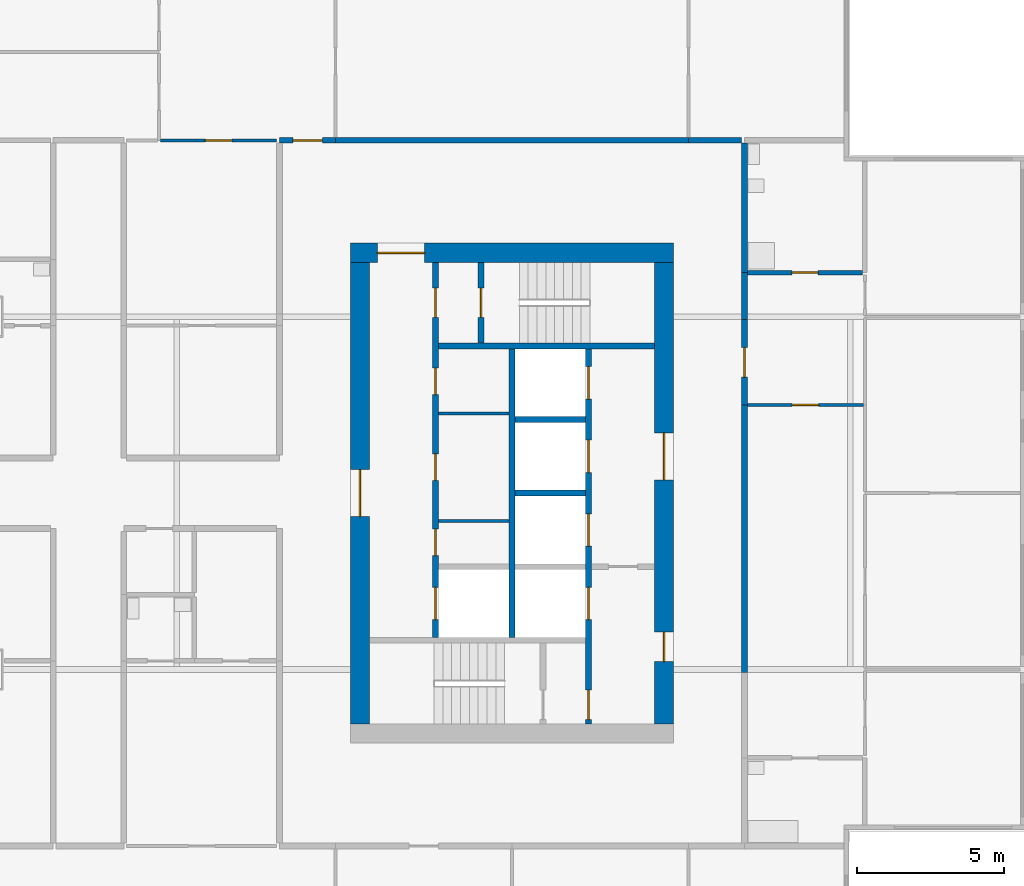
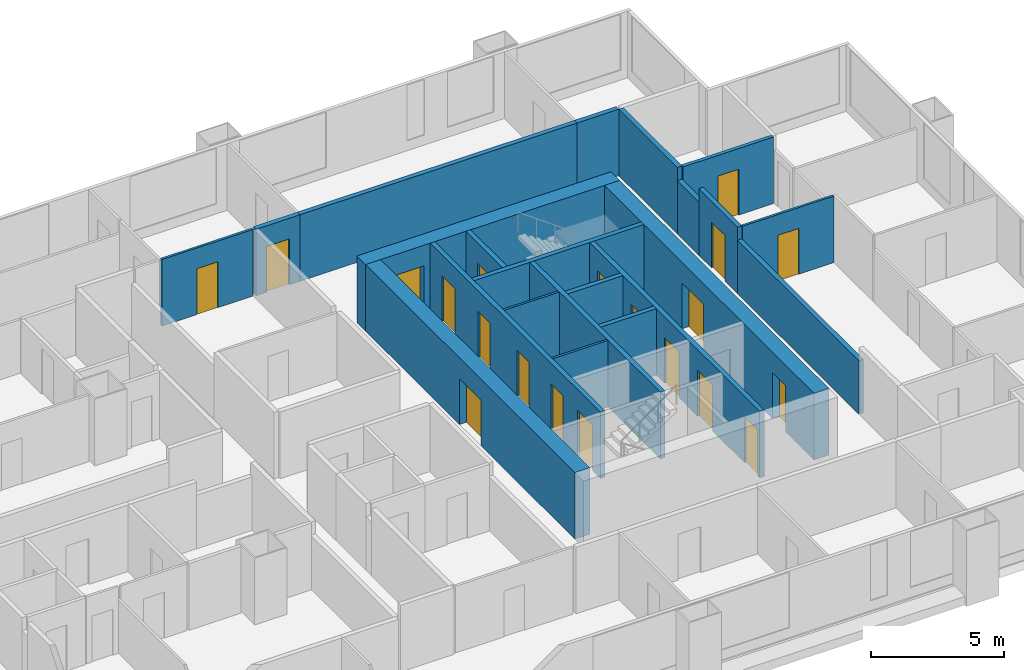
# One storey, part 7 of 11: 22 walls, 20 doors, 20 openings.
"""IFC4 building model written with IfcOpenShell, lengths in metres."""

from ifc_helpers import new_model, si_unit, direction, frame, frame_2d, origin, place, context, subcontext, project, spatial, rectangle, extrude, material, layer, layer_set, type_object, element, fill, save


model = new_model("IFC4")

# Units and contexts
model_context = context("Model", 3, precision=1e-05, world=origin(), true_north=direction((0.0, 1.0)))
body_context = subcontext(model_context, "Body", "Model", "MODEL_VIEW")
ifc_project = project(units=[si_unit("LENGTHUNIT", "METRE"), si_unit("AREAUNIT", "SQUARE_METRE"), si_unit("VOLUMEUNIT", "CUBIC_METRE"), si_unit("PLANEANGLEUNIT", "RADIAN"), si_unit("MASSUNIT", "GRAM", prefix="KILO")], contexts=[model_context])

# Site, building, storey
site_placement = place(None, origin())
site = spatial("IfcSite", under=ifc_project, at=site_placement, CompositionType="ELEMENT")
building_placement = place(site_placement, origin())
building = spatial("IfcBuilding", under=site, at=building_placement, Name="Kitamizu Gate Tower and Museum", CompositionType="ELEMENT")
storey_placement = place(building_placement, frame((0.0, 0.0, 141.449951171875)))
storey = spatial("IfcBuildingStorey", under=building, at=storey_placement, Name="L37", CompositionType="ELEMENT", Elevation=141.449951171875)

# Wall, opening, door
ifc_material_1 = material(Name="Concrete Fc60", Category="concrete")
ifc_layer_1 = layer(ifc_material_1, 0.64990234375)
ifc_layer_set_1 = layer_set([ifc_layer_1], Name="Concrete Fc60")
wall_type_1 = type_object("IfcWallType", Name="Core wall 650", PredefinedType="SHEAR", material=ifc_layer_set_1)
wall_1_placement = place(storey_placement, frame((59.5, 38.175048828125, 0.0), z_axis=(0.0, 0.0, 1.0), x_axis=(-1.0, 0.0, 0.0)))
wall_1 = element("IfcWall", 1, at=wall_1_placement, inside=storey, type_object=wall_type_1, Name="Core wall EN", PredefinedType="SHEAR", context=body_context, shape_type="SweptSolid", body=[
    extrude(rectangle(XDim=11.0, YDim=0.64990234375, at=frame_2d((5.5, 0.0))), origin(), (0.0, 0.0, 1.0), 3.050048828125),
])
opening_1_placement = place(wall_1_placement, frame((8.47509765625, 0.0, 0.0)))
opening_1 = element("IfcOpeningElement", 2, at=opening_1_placement, cuts=wall_1, Name="Opening L37-074", PredefinedType="OPENING", context=body_context, shape_type="SweptSolid", body=[
    extrude(rectangle(XDim=1.60009765625, YDim=2.10009765625, at=frame_2d((0.800048828125, 1.050048828125))), frame((0.0, 0.3349609375, 0.0), z_axis=(0.0, -1.0, 0.0), x_axis=(1.0, 0.0, 0.0)), (0.0, 0.0, 1.0), 0.669921875),
])
ifc_material_2 = material(Name="Timber door set", Category="wood")
door_type_1 = type_object("IfcDoorType", Name="Entrance door 1600", OperationType="DOUBLE_DOOR_SINGLE_SWING", PredefinedType="DOOR", material=ifc_material_2)
door_1_placement = place(opening_1_placement, origin())
door_1 = element("IfcDoor", 3, at=door_1_placement, inside=storey, type_object=door_type_1, Name="Lobby door L37-074", OperationType="DOUBLE_DOOR_SINGLE_SWING", OverallHeight=2.10009765625, OverallWidth=1.60009765625, PredefinedType="DOOR", context=body_context, shape_type="SweptSolid", body=[
    extrude(rectangle(XDim=1.60009765625, YDim=2.10009765625, at=frame_2d((0.800048828125, 1.050048828125))), frame((0.0, 0.02490234375, 0.0), z_axis=(0.0, -1.0, 0.0), x_axis=(1.0, 0.0, 0.0)), (0.0, 0.0, 1.0), 0.050048828125),
])
fill(opening_1, door_1)

# Wall, openings, doors
wall_2_placement = place(storey_placement, frame((59.175048828125, 22.14990234375, 0.0), z_axis=(0.0, 0.0, 1.0), x_axis=(0.0, 1.0, 0.0)))
wall_2 = element("IfcWall", 4, at=wall_2_placement, inside=storey, type_object=wall_type_1, Name="Core wall EOUT", PredefinedType="SHEAR", context=body_context, shape_type="SweptSolid", body=[
    extrude(rectangle(XDim=15.7001953125, YDim=0.64990234375, at=frame_2d((7.85009765625, 0.0))), origin(), (0.0, 0.0, 1.0), 3.050048828125),
])
opening_2_placement = place(wall_2_placement, frame((8.300048828125, 0.0, 0.0)))
opening_2 = element("IfcOpeningElement", 5, at=opening_2_placement, cuts=wall_2, Name="Opening L37-072", PredefinedType="OPENING", context=body_context, shape_type="SweptSolid", body=[
    extrude(rectangle(XDim=1.60009765625, YDim=2.10009765625, at=frame_2d((0.800048828125, 1.050048828125))), frame((0.0, 0.3349609375, 0.0), z_axis=(0.0, -1.0, 0.0), x_axis=(1.0, 0.0, 0.0)), (0.0, 0.0, 1.0), 0.669921875),
])
opening_3_placement = place(wall_2_placement, frame((2.125, 0.0, 0.0)))
opening_3 = element("IfcOpeningElement", 6, at=opening_3_placement, cuts=wall_2, Name="Opening L37-073", PredefinedType="OPENING", context=body_context, shape_type="SweptSolid", body=[
    extrude(rectangle(XDim=1.0, YDim=2.10009765625, at=frame_2d((0.5, 1.050048828125))), frame((0.0, 0.3349609375, 0.0), z_axis=(0.0, -1.0, 0.0), x_axis=(1.0, 0.0, 0.0)), (0.0, 0.0, 1.0), 0.669921875),
])
door_2_placement = place(opening_2_placement, origin())
door_2 = element("IfcDoor", 7, at=door_2_placement, inside=storey, type_object=door_type_1, Name="Lobby door L37-072", OperationType="DOUBLE_DOOR_SINGLE_SWING", OverallHeight=2.10009765625, OverallWidth=1.60009765625, PredefinedType="DOOR", context=body_context, shape_type="SweptSolid", body=[
    extrude(rectangle(XDim=1.60009765625, YDim=2.10009765625, at=frame_2d((0.800048828125, 1.050048828125))), frame((0.0, 0.02490234375, 0.0), z_axis=(0.0, -1.0, 0.0), x_axis=(1.0, 0.0, 0.0)), (0.0, 0.0, 1.0), 0.050048828125),
])
fill(opening_2, door_2)
ifc_material_3 = material(Name="Hollow metal door set")
door_type_2 = type_object("IfcDoorType", Name="Fire door 1000", OperationType="NOTDEFINED", PredefinedType="DOOR", material=ifc_material_3)
door_3_placement = place(opening_3_placement, origin())
door_3 = element("IfcDoor", 8, at=door_3_placement, inside=storey, type_object=door_type_2, Name="Fire-fighting lobby door L37-073", OperationType="SINGLE_SWING_RIGHT", OverallHeight=2.10009765625, OverallWidth=1.0, PredefinedType="DOOR", context=body_context, shape_type="SweptSolid", body=[
    extrude(rectangle(XDim=1.0, YDim=2.10009765625, at=frame_2d((0.5, 1.050048828125))), frame((0.0, 0.02490234375, 0.0), z_axis=(0.0, -1.0, 0.0), x_axis=(1.0, 0.0, 0.0)), (0.0, 0.0, 1.0), 0.050048828125),
])
fill(opening_3, door_3)

# Wall, opening, door
wall_3_placement = place(storey_placement, frame((48.824951171875, 22.14990234375, 0.0), z_axis=(0.0, 0.0, 1.0), x_axis=(0.0, 1.0, 0.0)))
wall_3 = element("IfcWall", 9, at=wall_3_placement, inside=storey, type_object=wall_type_1, Name="Core wall EARC", PredefinedType="SHEAR", context=body_context, shape_type="SweptSolid", body=[
    extrude(rectangle(XDim=15.7001953125, YDim=0.64990234375, at=frame_2d((7.85009765625, 0.0))), origin(), (0.0, 0.0, 1.0), 3.050048828125),
])
opening_4_placement = place(wall_3_placement, frame((7.050048828125, 0.0, 0.0)))
opening_4 = element("IfcOpeningElement", 10, at=opening_4_placement, cuts=wall_3, Name="Opening L37-075", PredefinedType="OPENING", context=body_context, shape_type="SweptSolid", body=[
    extrude(rectangle(XDim=1.60009765625, YDim=2.10009765625, at=frame_2d((0.800048828125, 1.050048828125))), frame((0.0, 0.3349609375, 0.0), z_axis=(0.0, -1.0, 0.0), x_axis=(1.0, 0.0, 0.0)), (0.0, 0.0, 1.0), 0.669921875),
])
door_4_placement = place(opening_4_placement, origin())
door_4 = element("IfcDoor", 11, at=door_4_placement, inside=storey, type_object=door_type_1, Name="Lobby door L37-075", OperationType="DOUBLE_DOOR_SINGLE_SWING", OverallHeight=2.10009765625, OverallWidth=1.60009765625, PredefinedType="DOOR", context=body_context, shape_type="SweptSolid", body=[
    extrude(rectangle(XDim=1.60009765625, YDim=2.10009765625, at=frame_2d((0.800048828125, 1.050048828125))), frame((0.0, 0.02490234375, 0.0), z_axis=(0.0, -1.0, 0.0), x_axis=(1.0, 0.0, 0.0)), (0.0, 0.0, 1.0), 0.050048828125),
])
fill(opening_4, door_4)

# Walls
ifc_material_4 = material(Name="Gypsum board on galvanised stud")
ifc_layer_2 = layer(ifc_material_4, 0.10009765625)
ifc_layer_set_2 = layer_set([ifc_layer_2], Name="Gypsum board on galvanised stud")
wall_type_2 = type_object("IfcWallType", Name="Partition 100", PredefinedType="PARTITIONING", material=ifc_layer_set_2)
for number, where, z_axis, x_axis, name in (
    (12, (53.89990234375, 29.06005859375, 0.0), (0.0, 0.0, 1.0), (-1.0, 0.0, 0.0), "Partition EPF1"),
    (13, (53.89990234375, 32.7099609375, 0.0), (0.0, 0.0, 1.0), (-1.0, 0.0, 0.0), "Partition EPF2"),
):
    element("IfcWall", number, at=place(storey_placement, frame(where, z_axis=z_axis, x_axis=x_axis)), inside=storey, type_object=wall_type_2, Name=name, PredefinedType="PARTITIONING", context=body_context, shape_type="SweptSolid", body=[
        extrude(rectangle(XDim=2.39990234375, YDim=0.10009765625, at=frame_2d((1.199951171875, 0.0))), origin(), (0.0, 0.0, 1.0), 3.050048828125),
    ])

# Wall, opening, door
ifc_material_5 = material(Name="Gypsum board on galvanised stud")
ifc_layer_3 = layer(ifc_material_5, 0.10009765625)
ifc_layer_set_3 = layer_set([ifc_layer_3], Name="Gypsum board on galvanised stud")
wall_type_3 = type_object("IfcWallType", Name="Partition 100 NOT RATED", PredefinedType="PARTITIONING", material=ifc_layer_set_3)
wall_4_placement = place(storey_placement, frame((65.949951171875, 33.0, 0.0), z_axis=(0.0, 0.0, 1.0), x_axis=(-1.0, 0.0, 0.0)))
wall_4 = element("IfcWall", 14, at=wall_4_placement, inside=storey, type_object=wall_type_3, Name="Partition L37-096", PredefinedType="PARTITIONING", context=body_context, shape_type="SweptSolid", body=[
    extrude(rectangle(XDim=3.949951171875, YDim=0.10009765625, at=frame_2d((1.97509765625, 0.0))), origin(), (0.0, 0.0, 1.0), 3.050048828125),
])
opening_5_placement = place(wall_4_placement, frame((1.52490234375, 0.0, 0.0)))
opening_5 = element("IfcOpeningElement", 15, at=opening_5_placement, cuts=wall_4, Name="Opening L37-031", PredefinedType="OPENING", context=body_context, shape_type="SweptSolid", body=[
    extrude(rectangle(XDim=0.89990234375, YDim=2.10009765625, at=frame_2d((0.449951171875, 1.050048828125))), frame((0.0, 0.06005859375, 0.0), z_axis=(0.0, -1.0, 0.0), x_axis=(1.0, 0.0, 0.0)), (0.0, 0.0, 1.0), 0.1201171875),
])
ifc_material_6 = material(Name="Timber door set", Category="wood")
door_type_3 = type_object("IfcDoorType", Name="Room door 900", OperationType="NOTDEFINED", PredefinedType="DOOR", material=ifc_material_6)
door_5_placement = place(opening_5_placement, frame((0.89990234375, 0.0, 0.0), x_axis=(-1.0, 0.0, 0.0)))
door_5 = element("IfcDoor", 16, at=door_5_placement, inside=storey, type_object=door_type_3, Name="Door L37-031", OperationType="SINGLE_SWING_LEFT", OverallHeight=2.10009765625, OverallWidth=0.89990234375, PredefinedType="DOOR", context=body_context, shape_type="SweptSolid", body=[
    extrude(rectangle(XDim=0.89990234375, YDim=2.10009765625, at=frame_2d((0.449951171875, 1.050048828125))), frame((0.0, 0.02490234375, 0.0), z_axis=(0.0, -1.0, 0.0), x_axis=(1.0, 0.0, 0.0)), (0.0, 0.0, 1.0), 0.050048828125),
])
fill(opening_5, door_5)

wall_5_placement = place(storey_placement, frame((42.050048828125, 42.0, 0.0), z_axis=(0.0, 0.0, 1.0), x_axis=(1.0, 0.0, 0.0)))
wall_5 = element("IfcWall", 17, at=wall_5_placement, inside=storey, type_object=wall_type_3, Name="Partition L37-126", PredefinedType="PARTITIONING", context=body_context, shape_type="SweptSolid", body=[
    extrude(rectangle(XDim=3.949951171875, YDim=0.10009765625, at=frame_2d((1.97509765625, 0.0))), origin(), (0.0, 0.0, 1.0), 3.050048828125),
])
opening_6_placement = place(wall_5_placement, frame((1.52490234375, 0.0, 0.0)))
opening_6 = element("IfcOpeningElement", 18, at=opening_6_placement, cuts=wall_5, Name="Opening L37-047", PredefinedType="OPENING", context=body_context, shape_type="SweptSolid", body=[
    extrude(rectangle(XDim=0.89990234375, YDim=2.10009765625, at=frame_2d((0.449951171875, 1.050048828125))), frame((0.0, 0.06005859375, 0.0), z_axis=(0.0, -1.0, 0.0), x_axis=(1.0, 0.0, 0.0)), (0.0, 0.0, 1.0), 0.1201171875),
])
door_6_placement = place(opening_6_placement, frame((0.89990234375, 0.0, 0.0), x_axis=(-1.0, 0.0, 0.0)))
door_6 = element("IfcDoor", 19, at=door_6_placement, inside=storey, type_object=door_type_3, Name="Door L37-047", OperationType="SINGLE_SWING_RIGHT", OverallHeight=2.10009765625, OverallWidth=0.89990234375, PredefinedType="DOOR", context=body_context, shape_type="SweptSolid", body=[
    extrude(rectangle(XDim=0.89990234375, YDim=2.10009765625, at=frame_2d((0.449951171875, 1.050048828125))), frame((0.0, 0.02490234375, 0.0), z_axis=(0.0, -1.0, 0.0), x_axis=(1.0, 0.0, 0.0)), (0.0, 0.0, 1.0), 0.050048828125),
])
fill(opening_6, door_6)

ifc_material_7 = material(Name="Gypsum board on galvanised stud")
ifc_layer_4 = layer(ifc_material_7, 0.14990234375)
ifc_layer_set_4 = layer_set([ifc_layer_4], Name="Gypsum board on galvanised stud")
wall_type_4 = type_object("IfcWallType", Name="Partition 150", PredefinedType="PARTITIONING", material=ifc_layer_set_4)
wall_6_placement = place(storey_placement, frame((65.925048828125, 37.5, 0.0), z_axis=(0.0, 0.0, 1.0), x_axis=(-1.0, 0.0, 0.0)))
wall_6 = element("IfcWall", 20, at=wall_6_placement, inside=storey, type_object=wall_type_4, Name="Partition L37-099", PredefinedType="PARTITIONING", context=body_context, shape_type="SweptSolid", body=[
    extrude(rectangle(XDim=3.925048828125, YDim=0.14990234375, at=frame_2d((1.96240234375, 0.0))), origin(), (0.0, 0.0, 1.0), 3.050048828125),
])
opening_7_placement = place(wall_6_placement, frame((1.512451171875, 0.0, 0.0)))
opening_7 = element("IfcOpeningElement", 21, at=opening_7_placement, cuts=wall_6, Name="Opening L37-034", PredefinedType="OPENING", context=body_context, shape_type="SweptSolid", body=[
    extrude(rectangle(XDim=0.89990234375, YDim=2.10009765625, at=frame_2d((0.449951171875, 1.050048828125))), frame((0.0, 0.0849609375, 0.0), z_axis=(0.0, -1.0, 0.0), x_axis=(1.0, 0.0, 0.0)), (0.0, 0.0, 1.0), 0.169921875),
])
ifc_material_8 = material(Name="Timber door set", Category="wood")
door_type_4 = type_object("IfcDoorType", Name="Bathroom door 900", OperationType="NOTDEFINED", PredefinedType="DOOR", material=ifc_material_8)
door_7_placement = place(opening_7_placement, frame((0.89990234375, 0.0, 0.0), x_axis=(-1.0, 0.0, 0.0)))
door_7 = element("IfcDoor", 22, at=door_7_placement, inside=storey, type_object=door_type_4, Name="Bathroom door L37-034", OperationType="SINGLE_SWING_LEFT", OverallHeight=2.10009765625, OverallWidth=0.89990234375, PredefinedType="DOOR", context=body_context, shape_type="SweptSolid", body=[
    extrude(rectangle(XDim=0.89990234375, YDim=2.10009765625, at=frame_2d((0.449951171875, 1.050048828125))), frame((0.0, 0.02490234375, 0.0), z_axis=(0.0, -1.0, 0.0), x_axis=(1.0, 0.0, 0.0)), (0.0, 0.0, 1.0), 0.050048828125),
])
fill(opening_7, door_7)

# Walls
ifc_material_9 = material(Name="Gypsum board on galvanised stud")
ifc_layer_5 = layer(ifc_material_9, 0.199951171875)
ifc_layer_set_5 = layer_set([ifc_layer_5], Name="Gypsum board on galvanised stud")
wall_type_5 = type_object("IfcWallType", Name="Partition 200", PredefinedType="PARTITIONING", material=ifc_layer_set_5)
wall_7_placement = place(storey_placement, frame((61.89990234375, 33.0, 0.0), z_axis=(0.0, 0.0, 1.0), x_axis=(0.0, -1.0, 0.0)))
element("IfcWall", 23, at=wall_7_placement, inside=storey, type_object=wall_type_5, Name="Partition L37-097", PredefinedType="PARTITIONING", context=body_context, shape_type="SweptSolid", body=[
    extrude(rectangle(XDim=9.10009765625, YDim=0.199951171875, at=frame_2d((4.550048828125, 0.0))), origin(), (0.0, 0.0, 1.0), 2.449951171875),
])
wall_8_placement = place(storey_placement, frame((61.89990234375, 37.5, 0.0), z_axis=(0.0, 0.0, 1.0), x_axis=(0.0, -1.0, 0.0)))
element("IfcWall", 24, at=wall_8_placement, inside=storey, type_object=wall_type_5, Name="Partition L37-100", PredefinedType="PARTITIONING", context=body_context, shape_type="SweptSolid", body=[
    extrude(rectangle(XDim=1.60009765625, YDim=0.199951171875, at=frame_2d((0.800048828125, 0.0))), origin(), (0.0, 0.0, 1.0), 2.449951171875),
])

# Wall, opening, door
wall_9_placement = place(storey_placement, frame((61.89990234375, 35.89990234375, 0.0), z_axis=(0.0, 0.0, 1.0), x_axis=(0.0, -1.0, 0.0)))
wall_9 = element("IfcWall", 25, at=wall_9_placement, inside=storey, type_object=wall_type_5, Name="Partition L37-101", PredefinedType="PARTITIONING", context=body_context, shape_type="SweptSolid", body=[
    extrude(rectangle(XDim=2.89990234375, YDim=0.199951171875, at=frame_2d((1.449951171875, 0.0))), origin(), (0.0, 0.0, 1.0), 3.050048828125),
])
opening_8_placement = place(wall_9_placement, frame((0.949951171875, 0.0, 0.0)))
opening_8 = element("IfcOpeningElement", 26, at=opening_8_placement, cuts=wall_9, Name="Opening L37-030", PredefinedType="OPENING", context=body_context, shape_type="SweptSolid", body=[
    extrude(rectangle(XDim=1.0, YDim=2.10009765625, at=frame_2d((0.5, 1.050048828125))), frame((0.0, 0.10986328125, 0.0), z_axis=(0.0, -1.0, 0.0), x_axis=(1.0, 0.0, 0.0)), (0.0, 0.0, 1.0), 0.219970703125),
])
ifc_material_10 = material(Name="Timber door set", Category="wood")
door_type_5 = type_object("IfcDoorType", Name="Flat entrance door 1000", OperationType="NOTDEFINED", PredefinedType="DOOR", material=ifc_material_10)
door_8_placement = place(opening_8_placement, origin())
door_8 = element("IfcDoor", 27, at=door_8_placement, inside=storey, type_object=door_type_5, Name="Flat entrance door L37-030", OperationType="SINGLE_SWING_LEFT", OverallHeight=2.10009765625, OverallWidth=1.0, PredefinedType="DOOR", context=body_context, shape_type="SweptSolid", body=[
    extrude(rectangle(XDim=1.0, YDim=2.10009765625, at=frame_2d((0.5, 1.050048828125))), frame((0.0, 0.02490234375, 0.0), z_axis=(0.0, -1.0, 0.0), x_axis=(1.0, 0.0, 0.0)), (0.0, 0.0, 1.0), 0.050048828125),
])
fill(opening_8, door_8)

# Wall
wall_10_placement = place(storey_placement, frame((61.89990234375, 41.89990234375, 0.0), z_axis=(0.0, 0.0, 1.0), x_axis=(0.0, -1.0, 0.0)))
element("IfcWall", 28, at=wall_10_placement, inside=storey, type_object=wall_type_5, Name="Partition L37-103", PredefinedType="PARTITIONING", context=body_context, shape_type="SweptSolid", body=[
    extrude(rectangle(XDim=4.39990234375, YDim=0.199951171875, at=frame_2d((2.199951171875, 0.0))), origin(), (0.0, 0.0, 1.0), 3.050048828125),
])

# Wall, opening, door
wall_11_placement = place(storey_placement, frame((46.10009765625, 42.0, 0.0), z_axis=(0.0, 0.0, 1.0), x_axis=(1.0, 0.0, 0.0)))
wall_11 = element("IfcWall", 29, at=wall_11_placement, inside=storey, type_object=wall_type_5, Name="Partition L37-127", PredefinedType="PARTITIONING", context=body_context, shape_type="SweptSolid", body=[
    extrude(rectangle(XDim=1.89990234375, YDim=0.199951171875, at=frame_2d((0.949951171875, 0.0))), origin(), (0.0, 0.0, 1.0), 3.050048828125),
])
opening_9_placement = place(wall_11_placement, frame((0.449951171875, 0.0, 0.0)))
opening_9 = element("IfcOpeningElement", 30, at=opening_9_placement, cuts=wall_11, Name="Opening L37-042", PredefinedType="OPENING", context=body_context, shape_type="SweptSolid", body=[
    extrude(rectangle(XDim=1.0, YDim=2.10009765625, at=frame_2d((0.5, 1.050048828125))), frame((0.0, 0.10986328125, 0.0), z_axis=(0.0, -1.0, 0.0), x_axis=(1.0, 0.0, 0.0)), (0.0, 0.0, 1.0), 0.219970703125),
])
door_9_placement = place(opening_9_placement, origin())
door_9 = element("IfcDoor", 31, at=door_9_placement, inside=storey, type_object=door_type_5, Name="Flat entrance door L37-042", OperationType="SINGLE_SWING_LEFT", OverallHeight=2.10009765625, OverallWidth=1.0, PredefinedType="DOOR", context=body_context, shape_type="SweptSolid", body=[
    extrude(rectangle(XDim=1.0, YDim=2.10009765625, at=frame_2d((0.5, 1.050048828125))), frame((0.0, 0.02490234375, 0.0), z_axis=(0.0, -1.0, 0.0), x_axis=(1.0, 0.0, 0.0)), (0.0, 0.0, 1.0), 0.050048828125),
])
fill(opening_9, door_9)

# Walls
wall_12_placement = place(storey_placement, frame((48.0, 42.0, 0.0), z_axis=(0.0, 0.0, 1.0), x_axis=(1.0, 0.0, 0.0)))
element("IfcWall", 32, at=wall_12_placement, inside=storey, type_object=wall_type_5, Name="Partition L37-129", PredefinedType="PARTITIONING", context=body_context, shape_type="SweptSolid", body=[
    extrude(rectangle(XDim=12.0, YDim=0.199951171875, at=frame_2d((6.0, 0.0))), origin(), (0.0, 0.0, 1.0), 3.050048828125),
])
wall_13_placement = place(storey_placement, frame((60.0, 42.0, 0.0), z_axis=(0.0, 0.0, 1.0), x_axis=(1.0, 0.0, 0.0)))
element("IfcWall", 33, at=wall_13_placement, inside=storey, type_object=wall_type_5, Name="Partition L37-130", PredefinedType="PARTITIONING", context=body_context, shape_type="SweptSolid", body=[
    extrude(rectangle(XDim=1.800048828125, YDim=0.199951171875, at=frame_2d((0.89990234375, 0.0))), origin(), (0.0, 0.0, 1.0), 3.050048828125),
])

# Wall, openings, doors
ifc_material_11 = material(Name="Concrete Fc42", Category="concrete")
ifc_layer_6 = layer(ifc_material_11, 0.199951171875)
ifc_layer_set_6 = layer_set([ifc_layer_6], Name="Concrete Fc42")
wall_type_6 = type_object("IfcWallType", Name="Shaft wall 200", PredefinedType="SOLIDWALL", material=ifc_layer_set_6)
wall_14_placement = place(storey_placement, frame((56.60009765625, 22.14990234375, 0.0), z_axis=(0.0, 0.0, 1.0), x_axis=(0.0, 1.0, 0.0)))
wall_14 = element("IfcWall", 34, at=wall_14_placement, inside=storey, type_object=wall_type_6, Name="Shaft wall EWEST", PredefinedType="SOLIDWALL", context=body_context, shape_type="SweptSolid", body=[
    extrude(rectangle(XDim=12.75, YDim=0.199951171875, at=frame_2d((6.375, 0.0))), origin(), (0.0, 0.0, 1.0), 3.050048828125),
])
opening_10_placement = place(wall_14_placement, frame((3.550048828125, 0.0, 0.0)))
opening_10 = element("IfcOpeningElement", 35, at=opening_10_placement, cuts=wall_14, Name="Opening LD", PredefinedType="OPENING", context=body_context, shape_type="SweptSolid", body=[
    extrude(rectangle(XDim=1.10009765625, YDim=2.10009765625, at=frame_2d((0.550048828125, 1.050048828125))), frame((0.0, 0.10986328125, 0.0), z_axis=(0.0, -1.0, 0.0), x_axis=(1.0, 0.0, 0.0)), (0.0, 0.0, 1.0), 0.219970703125),
])
opening_11_placement = place(wall_14_placement, frame((6.050048828125, 0.0, 0.0)))
opening_11 = element("IfcOpeningElement", 36, at=opening_11_placement, cuts=wall_14, Name="Opening LD", PredefinedType="OPENING", context=body_context, shape_type="SweptSolid", body=[
    extrude(rectangle(XDim=1.10009765625, YDim=2.10009765625, at=frame_2d((0.550048828125, 1.050048828125))), frame((0.0, 0.10986328125, 0.0), z_axis=(0.0, -1.0, 0.0), x_axis=(1.0, 0.0, 0.0)), (0.0, 0.0, 1.0), 0.219970703125),
])
opening_12_placement = place(wall_14_placement, frame((8.550048828125, 0.0, 0.0)))
opening_12 = element("IfcOpeningElement", 37, at=opening_12_placement, cuts=wall_14, Name="Opening LD", PredefinedType="OPENING", context=body_context, shape_type="SweptSolid", body=[
    extrude(rectangle(XDim=1.10009765625, YDim=2.10009765625, at=frame_2d((0.550048828125, 1.050048828125))), frame((0.0, 0.10986328125, 0.0), z_axis=(0.0, -1.0, 0.0), x_axis=(1.0, 0.0, 0.0)), (0.0, 0.0, 1.0), 0.219970703125),
])
opening_13_placement = place(wall_14_placement, frame((11.050048828125, 0.0, 0.0)))
opening_13 = element("IfcOpeningElement", 38, at=opening_13_placement, cuts=wall_14, Name="Opening LD", PredefinedType="OPENING", context=body_context, shape_type="SweptSolid", body=[
    extrude(rectangle(XDim=1.10009765625, YDim=2.10009765625, at=frame_2d((0.550048828125, 1.050048828125))), frame((0.0, 0.10986328125, 0.0), z_axis=(0.0, -1.0, 0.0), x_axis=(1.0, 0.0, 0.0)), (0.0, 0.0, 1.0), 0.219970703125),
])
opening_14_placement = place(wall_14_placement, frame((0.14990234375, 0.0, 0.0)))
opening_14 = element("IfcOpeningElement", 39, at=opening_14_placement, cuts=wall_14, Name="Opening L37-068", PredefinedType="OPENING", context=body_context, shape_type="SweptSolid", body=[
    extrude(rectangle(XDim=1.0, YDim=2.10009765625, at=frame_2d((0.5, 1.050048828125))), frame((0.0, 0.10986328125, 0.0), z_axis=(0.0, -1.0, 0.0), x_axis=(1.0, 0.0, 0.0)), (0.0, 0.0, 1.0), 0.219970703125),
])
door_10_placement = place(opening_14_placement, origin())
door_10 = element("IfcDoor", 40, at=door_10_placement, inside=storey, type_object=door_type_2, Name="Stair lobby door L37-068", OperationType="SINGLE_SWING_RIGHT", OverallHeight=2.10009765625, OverallWidth=1.0, PredefinedType="DOOR", context=body_context, shape_type="SweptSolid", body=[
    extrude(rectangle(XDim=1.0, YDim=2.10009765625, at=frame_2d((0.5, 1.050048828125))), frame((0.0, 0.02490234375, 0.0), z_axis=(0.0, -1.0, 0.0), x_axis=(1.0, 0.0, 0.0)), (0.0, 0.0, 1.0), 0.050048828125),
])
fill(opening_14, door_10)
ifc_material_12 = material(Name="Hollow metal door set")
door_type_6 = type_object("IfcDoorType", Name="Landing door 1100", OperationType="SLIDING_TO_LEFT", PredefinedType="DOOR", material=ifc_material_12)
door_11_placement = place(opening_10_placement, origin())
door_11 = element("IfcDoor", 41, at=door_11_placement, inside=storey, type_object=door_type_6, Name="Landing door EFF1", OperationType="SLIDING_TO_LEFT", OverallHeight=2.10009765625, OverallWidth=1.10009765625, PredefinedType="DOOR", context=body_context, shape_type="SweptSolid", body=[
    extrude(rectangle(XDim=1.10009765625, YDim=2.10009765625, at=frame_2d((0.550048828125, 1.050048828125))), frame((0.0, 0.02490234375, 0.0), z_axis=(0.0, -1.0, 0.0), x_axis=(1.0, 0.0, 0.0)), (0.0, 0.0, 1.0), 0.050048828125),
])
fill(opening_10, door_11)
door_12_placement = place(opening_11_placement, origin())
door_12 = element("IfcDoor", 42, at=door_12_placement, inside=storey, type_object=door_type_6, Name="Landing door EL1", OperationType="SLIDING_TO_LEFT", OverallHeight=2.10009765625, OverallWidth=1.10009765625, PredefinedType="DOOR", context=body_context, shape_type="SweptSolid", body=[
    extrude(rectangle(XDim=1.10009765625, YDim=2.10009765625, at=frame_2d((0.550048828125, 1.050048828125))), frame((0.0, 0.02490234375, 0.0), z_axis=(0.0, -1.0, 0.0), x_axis=(1.0, 0.0, 0.0)), (0.0, 0.0, 1.0), 0.050048828125),
])
fill(opening_11, door_12)
door_13_placement = place(opening_12_placement, origin())
door_13 = element("IfcDoor", 43, at=door_13_placement, inside=storey, type_object=door_type_6, Name="Landing door EL2", OperationType="SLIDING_TO_LEFT", OverallHeight=2.10009765625, OverallWidth=1.10009765625, PredefinedType="DOOR", context=body_context, shape_type="SweptSolid", body=[
    extrude(rectangle(XDim=1.10009765625, YDim=2.10009765625, at=frame_2d((0.550048828125, 1.050048828125))), frame((0.0, 0.02490234375, 0.0), z_axis=(0.0, -1.0, 0.0), x_axis=(1.0, 0.0, 0.0)), (0.0, 0.0, 1.0), 0.050048828125),
])
fill(opening_12, door_13)
door_14_placement = place(opening_13_placement, origin())
door_14 = element("IfcDoor", 44, at=door_14_placement, inside=storey, type_object=door_type_6, Name="Landing door EL3", OperationType="SLIDING_TO_LEFT", OverallHeight=2.10009765625, OverallWidth=1.10009765625, PredefinedType="DOOR", context=body_context, shape_type="SweptSolid", body=[
    extrude(rectangle(XDim=1.10009765625, YDim=2.10009765625, at=frame_2d((0.550048828125, 1.050048828125))), frame((0.0, 0.02490234375, 0.0), z_axis=(0.0, -1.0, 0.0), x_axis=(1.0, 0.0, 0.0)), (0.0, 0.0, 1.0), 0.050048828125),
])
fill(opening_13, door_14)

wall_15_placement = place(storey_placement, frame((51.39990234375, 25.10009765625, 0.0), z_axis=(0.0, 0.0, 1.0), x_axis=(0.0, 1.0, 0.0)))
wall_15 = element("IfcWall", 45, at=wall_15_placement, inside=storey, type_object=wall_type_6, Name="Shaft wall EEAST", PredefinedType="SOLIDWALL", context=body_context, shape_type="SweptSolid", body=[
    extrude(rectangle(XDim=12.75, YDim=0.199951171875, at=frame_2d((6.375, 0.0))), origin(), (0.0, 0.0, 1.0), 3.050048828125),
])
opening_15_placement = place(wall_15_placement, frame((0.60009765625, 0.0, 0.0)))
opening_15 = element("IfcOpeningElement", 46, at=opening_15_placement, cuts=wall_15, Name="Opening LD", PredefinedType="OPENING", context=body_context, shape_type="SweptSolid", body=[
    extrude(rectangle(XDim=1.10009765625, YDim=2.10009765625, at=frame_2d((0.550048828125, 1.050048828125))), frame((0.0, 0.10986328125, 0.0), z_axis=(0.0, -1.0, 0.0), x_axis=(1.0, 0.0, 0.0)), (0.0, 0.0, 1.0), 0.219970703125),
])
opening_16_placement = place(wall_15_placement, frame((10.875, 0.0, 0.0)))
opening_16 = element("IfcOpeningElement", 47, at=opening_16_placement, cuts=wall_15, Name="Opening L37-069", PredefinedType="OPENING", context=body_context, shape_type="SweptSolid", body=[
    extrude(rectangle(XDim=1.0, YDim=2.10009765625, at=frame_2d((0.5, 1.050048828125))), frame((0.0, 0.10986328125, 0.0), z_axis=(0.0, -1.0, 0.0), x_axis=(1.0, 0.0, 0.0)), (0.0, 0.0, 1.0), 0.219970703125),
])
opening_17_placement = place(wall_15_placement, frame((2.780029296875, 0.0, 0.0)))
opening_17 = element("IfcOpeningElement", 48, at=opening_17_placement, cuts=wall_15, Name="Opening L37-076", PredefinedType="OPENING", context=body_context, shape_type="SweptSolid", body=[
    extrude(rectangle(XDim=0.89990234375, YDim=2.10009765625, at=frame_2d((0.449951171875, 1.050048828125))), frame((0.0, 0.10986328125, 0.0), z_axis=(0.0, -1.0, 0.0), x_axis=(1.0, 0.0, 0.0)), (0.0, 0.0, 1.0), 0.219970703125),
])
opening_18_placement = place(wall_15_placement, frame((5.3349609375, 0.0, 0.0)))
opening_18 = element("IfcOpeningElement", 49, at=opening_18_placement, cuts=wall_15, Name="Opening L37-077", PredefinedType="OPENING", context=body_context, shape_type="SweptSolid", body=[
    extrude(rectangle(XDim=0.89990234375, YDim=2.10009765625, at=frame_2d((0.449951171875, 1.050048828125))), frame((0.0, 0.10986328125, 0.0), z_axis=(0.0, -1.0, 0.0), x_axis=(1.0, 0.0, 0.0)), (0.0, 0.0, 1.0), 0.219970703125),
])
opening_19_placement = place(wall_15_placement, frame((8.2548828125, 0.0, 0.0)))
opening_19 = element("IfcOpeningElement", 50, at=opening_19_placement, cuts=wall_15, Name="Opening L37-078", PredefinedType="OPENING", context=body_context, shape_type="SweptSolid", body=[
    extrude(rectangle(XDim=0.89990234375, YDim=2.10009765625, at=frame_2d((0.449951171875, 1.050048828125))), frame((0.0, 0.10986328125, 0.0), z_axis=(0.0, -1.0, 0.0), x_axis=(1.0, 0.0, 0.0)), (0.0, 0.0, 1.0), 0.219970703125),
])
door_15_placement = place(opening_16_placement, frame((1.0, 0.0, 0.0), x_axis=(-1.0, 0.0, 0.0)))
door_15 = element("IfcDoor", 51, at=door_15_placement, inside=storey, type_object=door_type_2, Name="Stair lobby door L37-069", OperationType="SINGLE_SWING_RIGHT", OverallHeight=2.10009765625, OverallWidth=1.0, PredefinedType="DOOR", context=body_context, shape_type="SweptSolid", body=[
    extrude(rectangle(XDim=1.0, YDim=2.10009765625, at=frame_2d((0.5, 1.050048828125))), frame((0.0, 0.02490234375, 0.0), z_axis=(0.0, -1.0, 0.0), x_axis=(1.0, 0.0, 0.0)), (0.0, 0.0, 1.0), 0.050048828125),
])
fill(opening_16, door_15)
door_16_placement = place(opening_15_placement, origin())
door_16 = element("IfcDoor", 52, at=door_16_placement, inside=storey, type_object=door_type_6, Name="Landing door ESV1", OperationType="SLIDING_TO_LEFT", OverallHeight=2.10009765625, OverallWidth=1.10009765625, PredefinedType="DOOR", context=body_context, shape_type="SweptSolid", body=[
    extrude(rectangle(XDim=1.10009765625, YDim=2.10009765625, at=frame_2d((0.550048828125, 1.050048828125))), frame((0.0, 0.02490234375, 0.0), z_axis=(0.0, -1.0, 0.0), x_axis=(1.0, 0.0, 0.0)), (0.0, 0.0, 1.0), 0.050048828125),
])
fill(opening_15, door_16)
ifc_material_13 = material(Name="Timber door set", Category="wood")
door_type_7 = type_object("IfcDoorType", Name="Service door 900", OperationType="NOTDEFINED", PredefinedType="DOOR", material=ifc_material_13)
door_17_placement = place(opening_17_placement, frame((0.89990234375, 0.0, 0.0), x_axis=(-1.0, 0.0, 0.0)))
door_17 = element("IfcDoor", 53, at=door_17_placement, inside=storey, type_object=door_type_7, Name="Service door L37-076", OperationType="SINGLE_SWING_RIGHT", OverallHeight=2.10009765625, OverallWidth=0.89990234375, PredefinedType="DOOR", context=body_context, shape_type="SweptSolid", body=[
    extrude(rectangle(XDim=0.89990234375, YDim=2.10009765625, at=frame_2d((0.449951171875, 1.050048828125))), frame((0.0, 0.02490234375, 0.0), z_axis=(0.0, -1.0, 0.0), x_axis=(1.0, 0.0, 0.0)), (0.0, 0.0, 1.0), 0.050048828125),
])
fill(opening_17, door_17)
door_18_placement = place(opening_18_placement, frame((0.89990234375, 0.0, 0.0), x_axis=(-1.0, 0.0, 0.0)))
door_18 = element("IfcDoor", 54, at=door_18_placement, inside=storey, type_object=door_type_7, Name="Service door L37-077", OperationType="SINGLE_SWING_LEFT", OverallHeight=2.10009765625, OverallWidth=0.89990234375, PredefinedType="DOOR", context=body_context, shape_type="SweptSolid", body=[
    extrude(rectangle(XDim=0.89990234375, YDim=2.10009765625, at=frame_2d((0.449951171875, 1.050048828125))), frame((0.0, 0.02490234375, 0.0), z_axis=(0.0, -1.0, 0.0), x_axis=(1.0, 0.0, 0.0)), (0.0, 0.0, 1.0), 0.050048828125),
])
fill(opening_18, door_18)
door_19_placement = place(opening_19_placement, frame((0.89990234375, 0.0, 0.0), x_axis=(-1.0, 0.0, 0.0)))
door_19 = element("IfcDoor", 55, at=door_19_placement, inside=storey, type_object=door_type_7, Name="Service door L37-078", OperationType="SINGLE_SWING_RIGHT", OverallHeight=2.10009765625, OverallWidth=0.89990234375, PredefinedType="DOOR", context=body_context, shape_type="SweptSolid", body=[
    extrude(rectangle(XDim=0.89990234375, YDim=2.10009765625, at=frame_2d((0.449951171875, 1.050048828125))), frame((0.0, 0.02490234375, 0.0), z_axis=(0.0, -1.0, 0.0), x_axis=(1.0, 0.0, 0.0)), (0.0, 0.0, 1.0), 0.050048828125),
])
fill(opening_19, door_19)

# Walls
wall_16_placement = place(storey_placement, frame((54.0, 25.10009765625, 0.0), z_axis=(0.0, 0.0, 1.0), x_axis=(0.0, 1.0, 0.0)))
element("IfcWall", 56, at=wall_16_placement, inside=storey, type_object=wall_type_6, Name="Shaft wall EMID", PredefinedType="SOLIDWALL", context=body_context, shape_type="SweptSolid", body=[
    extrude(rectangle(XDim=9.7998046875, YDim=0.199951171875, at=frame_2d((4.89990234375, 0.0))), origin(), (0.0, 0.0, 1.0), 3.050048828125),
])
wall_17_placement = place(storey_placement, frame((58.85009765625, 35.0, 0.0), z_axis=(0.0, 0.0, 1.0), x_axis=(-1.0, 0.0, 0.0)))
element("IfcWall", 57, at=wall_17_placement, inside=storey, type_object=wall_type_6, Name="Shaft wall ENB", PredefinedType="SOLIDWALL", context=body_context, shape_type="SweptSolid", body=[
    extrude(rectangle(XDim=7.35009765625, YDim=0.199951171875, at=frame_2d((3.675048828125, 0.0))), origin(), (0.0, 0.0, 1.0), 3.050048828125),
])

# Wall, opening, door
wall_18_placement = place(storey_placement, frame((52.949951171875, 35.10009765625, 0.0), z_axis=(0.0, 0.0, 1.0), x_axis=(0.0, 1.0, 0.0)))
wall_18 = element("IfcWall", 58, at=wall_18_placement, inside=storey, type_object=wall_type_6, Name="Shaft wall ENZ", PredefinedType="SOLIDWALL", context=body_context, shape_type="SweptSolid", body=[
    extrude(rectangle(XDim=2.75, YDim=0.199951171875, at=frame_2d((1.375, 0.0))), origin(), (0.0, 0.0, 1.0), 3.050048828125),
])
opening_20_placement = place(wall_18_placement, frame((0.875, 0.0, 0.0)))
opening_20 = element("IfcOpeningElement", 59, at=opening_20_placement, cuts=wall_18, Name="Opening L37-070", PredefinedType="OPENING", context=body_context, shape_type="SweptSolid", body=[
    extrude(rectangle(XDim=1.0, YDim=2.10009765625, at=frame_2d((0.5, 1.050048828125))), frame((0.0, 0.10986328125, 0.0), z_axis=(0.0, -1.0, 0.0), x_axis=(1.0, 0.0, 0.0)), (0.0, 0.0, 1.0), 0.219970703125),
])
door_20_placement = place(opening_20_placement, frame((1.0, 0.0, 0.0), x_axis=(-1.0, 0.0, 0.0)))
door_20 = element("IfcDoor", 60, at=door_20_placement, inside=storey, type_object=door_type_2, Name="Stair door L37-070", OperationType="SINGLE_SWING_LEFT", OverallHeight=2.10009765625, OverallWidth=1.0, PredefinedType="DOOR", context=body_context, shape_type="SweptSolid", body=[
    extrude(rectangle(XDim=1.0, YDim=2.10009765625, at=frame_2d((0.5, 1.050048828125))), frame((0.0, 0.02490234375, 0.0), z_axis=(0.0, -1.0, 0.0), x_axis=(1.0, 0.0, 0.0)), (0.0, 0.0, 1.0), 0.050048828125),
])
fill(opening_20, door_20)

# Walls
for number, where, z_axis, x_axis, name in (
    (61, (56.5, 30.0, 0.0), (0.0, 0.0, 1.0), (-1.0, 0.0, 0.0), "Shaft wall EDVW1"),
    (62, (56.5, 32.5, 0.0), (0.0, 0.0, 1.0), (-1.0, 0.0, 0.0), "Shaft wall EDVW2"),
):
    element("IfcWall", number, at=place(storey_placement, frame(where, z_axis=z_axis, x_axis=x_axis)), inside=storey, type_object=wall_type_6, Name=name, PredefinedType="SOLIDWALL", context=body_context, shape_type="SweptSolid", body=[
        extrude(rectangle(XDim=2.39990234375, YDim=0.199951171875, at=frame_2d((1.199951171875, 0.0))), origin(), (0.0, 0.0, 1.0), 3.050048828125),
    ])

save(model, "model.ifc")
